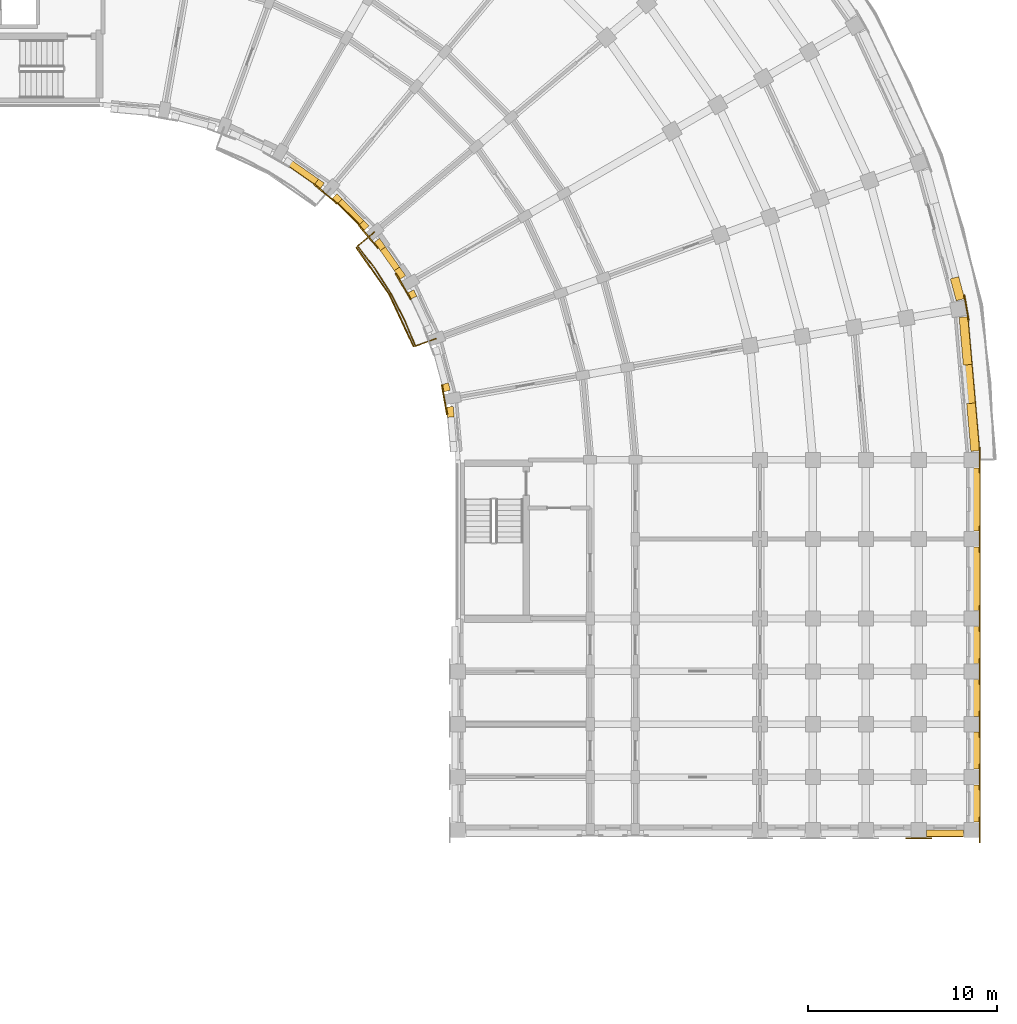
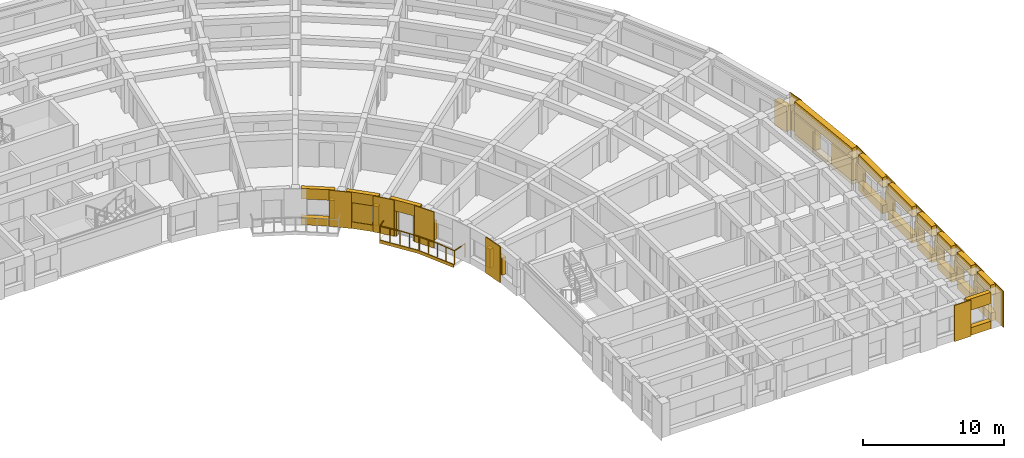
# One storey, part 51 of 54: 46 coverings, 1 railing, 1 shading device.
"""IFC4 building model written with IfcOpenShell, lengths in metres."""

import ifcopenshell
import ifcopenshell.guid

model = None  # the IFC model being written
_history = None  # IfcOwnerHistory: only IFC2X3 demands one
_inside = {}  # id of a spatial element -> (the spatial element, [elements in it])
_under = {}  # id of a project, library or spatial element -> (it, [spatial elements below it])
_declared = {}  # id of a project -> (the project, [libraries it declares])
_typed = {}  # id of a type object -> (the type object, [elements of that type])
_made_of = {}  # id of a material, layer set ... -> (it, [elements and type objects made of it])


def new_model(schema):
    """Start an empty IFC model of exactly this schema.

    Asked for "IFC4X3", IfcOpenShell would pick the latest addendum, in which some entities
    have other attributes; the version numbers below select the first issue.
    IFC2X3 requires an IfcOwnerHistory on every rooted entity: one is made here for all.
    """
    global model, _history
    if schema == "IFC4X3":
        model = ifcopenshell.file(schema_version=(4, 3, 0, 0))
    else:
        model = ifcopenshell.file(schema=schema)
    _inside.clear()
    _under.clear()
    _declared.clear()
    _typed.clear()
    _made_of.clear()
    _history = None
    if model.schema == "IFC2X3":
        org = make("IfcOrganization", Name="unknown")
        user = make(
            "IfcPersonAndOrganization",
            ThePerson=make("IfcPerson", FamilyName="unknown"),
            TheOrganization=org,
        )
        app = make(
            "IfcApplication",
            ApplicationDeveloper=org,
            Version="unknown",
            ApplicationFullName="unknown",
            ApplicationIdentifier="unknown",
        )
        _history = make(
            "IfcOwnerHistory",
            OwningUser=user,
            OwningApplication=app,
            ChangeAction="ADDED",
            CreationDate=0,
        )
    return model


def make(cls, **values):
    """One entity of the class cls with the attributes given. An attribute that is None is left unset."""
    return model.create_entity(
        cls, **{name: value for name, value in values.items() if value is not None}
    )


def rooted(cls, **values):
    """An entity with a GlobalId (a new one), such as an element, a storey or a relation."""
    return make(cls, GlobalId=ifcopenshell.guid.new(), OwnerHistory=_history, **values)


def si_unit(unit_type, name, prefix=None):
    """IfcSIUnit, for example si_unit("LENGTHUNIT", "METRE", prefix="MILLI")."""
    return make("IfcSIUnit", UnitType=unit_type, Prefix=prefix, Name=name)


def assignment(units):
    """IfcUnitAssignment: the units of a project."""
    return None if units is None else make("IfcUnitAssignment", Units=units)


def point(xyz):
    """IfcCartesianPoint."""
    return None if xyz is None else make("IfcCartesianPoint", Coordinates=xyz)


def direction(xyz):
    """IfcDirection."""
    return None if xyz is None else make("IfcDirection", DirectionRatios=xyz)


def frame(location, z_axis=None, x_axis=None):
    """IfcAxis2Placement3D, a coordinate frame: its origin and axes. An axis left out is left unset."""
    return make(
        "IfcAxis2Placement3D",
        Location=point(location),
        Axis=direction(z_axis),
        RefDirection=direction(x_axis),
    )


def frame_2d(location, x_axis=None):
    """IfcAxis2Placement2D, a coordinate frame in the plane: its origin and x axis."""
    return make(
        "IfcAxis2Placement2D", Location=point(location), RefDirection=direction(x_axis)
    )


def origin():
    """The frame at (0, 0, 0) with its axes left unset."""
    return frame((0.0, 0.0, 0.0))


def origin_2d():
    """The frame at (0, 0) in the plane with its x axis left unset."""
    return frame_2d((0.0, 0.0))


def place(relative_to, where):
    """IfcLocalPlacement: puts the frame where relative to a parent placement (None: the world)."""
    return make(
        "IfcLocalPlacement", PlacementRelTo=relative_to, RelativePlacement=where
    )


def context(
    kind, dimensions, precision=None, world=None, true_north=None, identifier=None
):
    """IfcGeometricRepresentationContext, for example the 3D "Model" context."""
    return make(
        "IfcGeometricRepresentationContext",
        ContextIdentifier=identifier,
        ContextType=kind,
        CoordinateSpaceDimension=dimensions,
        Precision=precision,
        WorldCoordinateSystem=world,
        TrueNorth=true_north,
    )


def subcontext(parent, identifier, kind, view, scale=None):
    """IfcGeometricRepresentationSubContext, for example "Body" below "Model"."""
    return make(
        "IfcGeometricRepresentationSubContext",
        ContextIdentifier=identifier,
        ContextType=kind,
        ParentContext=parent,
        TargetScale=scale,
        TargetView=view,
    )


def project(units=None, contexts=None):
    """IfcProject with its units and contexts."""
    return rooted(
        "IfcProject",
        Name="project",
        RepresentationContexts=contexts,
        UnitsInContext=assignment(units),
    )


def spatial(cls, under=None, at=None, **own):
    """A site, building, storey or space (cls), placed at a placement, below another one or the project."""
    s = rooted(cls, ObjectPlacement=at, **own)
    if under is not None:
        _under.setdefault(under.id(), (under, []))[1].append(s)
    return s


def polyline(points):
    """IfcPolyline through the points."""
    return make("IfcPolyline", Points=[point(p) for p in points])


def profile(cls, at=None, kind="AREA", **sizes):
    """A parametric profile (cls). Its sizes go by their IFC names, for example OverallWidth=200.0."""
    return make(cls, ProfileType=kind, Position=at, **sizes)


def rectangle(**sizes):
    """IfcRectangleProfileDef."""
    return profile("IfcRectangleProfileDef", **sizes)


def circle(**sizes):
    """IfcCircleProfileDef."""
    return profile("IfcCircleProfileDef", **sizes)


def outline(outer, holes=None, kind="AREA"):
    """IfcArbitraryClosedProfileDef: a profile drawn as a closed curve; with holes, ...WithVoids."""
    if holes is None:
        return make("IfcArbitraryClosedProfileDef", ProfileType=kind, OuterCurve=outer)
    return make(
        "IfcArbitraryProfileDefWithVoids",
        ProfileType=kind,
        OuterCurve=outer,
        InnerCurves=holes,
    )


def extrude(swept, where, along, depth):
    """IfcExtrudedAreaSolid: the profile swept, set in the frame where, extruded along a direction by depth."""
    return make(
        "IfcExtrudedAreaSolid",
        SweptArea=swept,
        Position=where,
        ExtrudedDirection=direction(along),
        Depth=depth,
    )


def shape(context_of_items, identifier, shape_type, items):
    """IfcShapeRepresentation: the items that make up one representation, for example the "Body"."""
    return make(
        "IfcShapeRepresentation",
        ContextOfItems=context_of_items,
        RepresentationIdentifier=identifier,
        RepresentationType=shape_type,
        Items=items,
    )


def material(Name=None, Category=None):
    """IfcMaterial."""
    return make("IfcMaterial", Name=Name, Category=Category)


def layer(
    of_material, thickness, ventilated=None, Name=None, Category=None, Priority=None
):
    """IfcMaterialLayer: one layer of a wall or slab, of a material (None: an air gap)."""
    return make(
        "IfcMaterialLayer",
        Material=of_material,
        LayerThickness=thickness,
        IsVentilated=ventilated,
        Name=Name,
        Category=Category,
        Priority=Priority,
    )


def layer_set(layers, Name=None):
    """IfcMaterialLayerSet."""
    return make("IfcMaterialLayerSet", MaterialLayers=layers, LayerSetName=Name)


def made_of(thing, what):
    """Note that an element or type object is made of a material, layer set ...; save() writes the relation."""
    if what is not None:
        _made_of.setdefault(what.id(), (what, []))[1].append(thing)
    return thing


def type_object(cls, material=None, **own):
    """A type object (cls), such as IfcWallType, which elements share."""
    return made_of(rooted(cls, **own), material)


def element(
    cls,
    number,
    at=None,
    inside=None,
    cuts=None,
    type_object=None,
    material=None,
    context=None,
    identifier="Body",
    shape_type=None,
    held_by="IfcProductDefinitionShape",
    body=None,
    shapes=None,
    **own,
):
    """One element of the class cls, such as IfcWall. Its Tag is "e" and its number.

    at: its placement. inside: the storey or other place that contains it. cuts: it is an
    opening in that element (IfcRelVoidsElement). A single representation is given by context,
    identifier, shape_type and body (its items); several are given by shapes. held_by: the class
    of the entity that holds the representations. save() writes the other relations.
    """
    e = rooted(cls, Tag="e%d" % number, ObjectPlacement=at, **own)
    if body is not None:
        shapes = [shape(context, identifier, shape_type, body)]
    if shapes is not None:
        e.Representation = make(held_by, Representations=shapes)
    if inside is not None:
        _inside.setdefault(inside.id(), (inside, []))[1].append(e)
    if cuts is not None:
        rooted(
            "IfcRelVoidsElement", RelatingBuildingElement=cuts, RelatedOpeningElement=e
        )
    if type_object is not None:
        _typed.setdefault(type_object.id(), (type_object, []))[1].append(e)
    return made_of(e, material)


def aggregate(whole, parts):
    """IfcRelAggregates: a whole, such as a stair, and the parts it consists of."""
    return rooted("IfcRelAggregates", RelatingObject=whole, RelatedObjects=parts)


def save(model, path):
    """Write the relations noted so far, then the file.

    IfcRelAggregates (storeys below a building ...), IfcRelContainedInSpatialStructure (elements
    in a storey), IfcRelDefinesByType, IfcRelAssociatesMaterial and IfcRelDeclares: one each for
    every whole, place, type object, material and project.
    """
    for whole, parts in _under.values():
        aggregate(whole, parts)
    for where, things in _inside.values():
        rooted(
            "IfcRelContainedInSpatialStructure",
            RelatedElements=things,
            RelatingStructure=where,
        )
    for kind, things in _typed.values():
        rooted("IfcRelDefinesByType", RelatedObjects=things, RelatingType=kind)
    for what, things in _made_of.values():
        rooted("IfcRelAssociatesMaterial", RelatedObjects=things, RelatingMaterial=what)
    for by, libraries in _declared.values():
        rooted("IfcRelDeclares", RelatingContext=by, RelatedDefinitions=libraries)
    model.write(path)


model = new_model("IFC4")

# Units and contexts
model_context = context("Model", 3, precision=1e-05, world=origin(), true_north=direction((0.0, 1.0)))
body_context = subcontext(model_context, "Body", "Model", "MODEL_VIEW")
ifc_project = project(units=[si_unit("LENGTHUNIT", "METRE"), si_unit("AREAUNIT", "SQUARE_METRE"), si_unit("VOLUMEUNIT", "CUBIC_METRE"), si_unit("PLANEANGLEUNIT", "RADIAN"), si_unit("MASSUNIT", "GRAM", prefix="KILO")], contexts=[model_context])

# Site, building, storey
site_placement = place(None, origin())
site = spatial("IfcSite", under=ifc_project, at=site_placement, CompositionType="ELEMENT")
building_placement = place(site_placement, origin())
building = spatial("IfcBuilding", under=site, at=building_placement, Name="Kiranvali Square Residences", CompositionType="ELEMENT")
storey_placement = place(building_placement, frame((0.0, 0.0, 11.85009765625)))
storey = spatial("IfcBuildingStorey", under=building, at=storey_placement, Name="L03", CompositionType="ELEMENT", Elevation=11.85009765625)

# Coverings
ifc_material_1 = material(Name="Carved Porbandar limestone classical entablature and cornice", Category="masonry")
ifc_layer_1 = layer(ifc_material_1, 0.06201171875)
ifc_layer_set_1 = layer_set([ifc_layer_1], Name="Carved Porbandar limestone classical entablature and cornice")
covering_type_1 = type_object("IfcCoveringType", Name="COV-CLAD-GBAL", PredefinedType="CLADDING", material=ifc_layer_set_1)
covering_1_placement = place(storey_placement, frame((0.0, 0.0, -0.22021484375)))
element("IfcCovering", 1, at=covering_1_placement, inside=storey, type_object=covering_type_1, Name="Block B L03 garden balcony limestone fascia 2", PredefinedType="CLADDING", context=body_context, shape_type="SweptSolid", body=[
    extrude(outline(polyline([(133.1904296875, 99.035888671875), (134.938232421875, 96.5400390625), (136.225830078125, 93.778564453125), (136.289794921875, 93.8017578125), (134.9970703125, 96.573974609375), (133.242431640625, 99.07958984375), (133.1904296875, 99.035888671875)])), origin(), (0.0, 0.0, 1.0), 0.27001953125),
])
ifc_material_2 = material(Name="Honed Porbandar limestone ashlar facade cladding", Category="masonry")
ifc_layer_2 = layer(ifc_material_2, 0.3798828125)
ifc_layer_set_2 = layer_set([ifc_layer_2], Name="Honed Porbandar limestone ashlar facade cladding")
covering_type_2 = type_object("IfcCoveringType", Name="COV-CLAD-JAMB", PredefinedType="CLADDING", material=ifc_layer_set_2)
covering_2_placement = place(storey_placement, origin())
element("IfcCovering", 2, at=covering_2_placement, inside=storey, type_object=covering_type_2, Name="L03 deep limestone window jamb reveal B-L03-CRV-07.R", PredefinedType="CLADDING", context=body_context, shape_type="SweptSolid", body=[
    extrude(outline(polyline([(164.67431640625, 97.382568359375), (164.985107421875, 96.22265625), (165.428955078125, 96.341552734375), (165.1181640625, 97.50146484375), (164.67431640625, 97.382568359375)])), origin(), (0.0, 0.0, 1.0), 2.179931640625),
])
covering_3_placement = place(storey_placement, frame((0.0, 0.0, 0.322021484375)))
element("IfcCovering", 3, at=covering_3_placement, inside=storey, type_object=covering_type_2, Name="L03 deep limestone window jamb reveal B-L03-CRV-08.L", PredefinedType="CLADDING", context=body_context, shape_type="SweptSolid", body=[
    extrude(outline(polyline([(165.140869140625, 95.339599609375), (165.36181640625, 92.81494140625), (165.819580078125, 92.85498046875), (165.5986328125, 95.379638671875), (165.140869140625, 95.339599609375)])), origin(), (0.0, 0.0, 1.0), 1.849853515625),
])
covering_4_placement = place(storey_placement, frame((0.0, 0.0, 0.322021484375)))
element("IfcCovering", 4, at=covering_4_placement, inside=storey, type_object=covering_type_2, Name="L03 deep limestone window jamb reveal B-L03-CRV-08.R", PredefinedType="CLADDING", context=body_context, shape_type="SweptSolid", body=[
    extrude(outline(polyline([(165.54052734375, 90.77294921875), (165.76123046875, 88.248291015625), (166.218994140625, 88.288330078125), (165.998046875, 90.81298828125), (165.54052734375, 90.77294921875)])), origin(), (0.0, 0.0, 1.0), 1.849853515625),
])
covering_5_placement = place(storey_placement, frame((0.0, 0.0, 0.621826171875)))
element("IfcCovering", 5, at=covering_5_placement, inside=storey, type_object=covering_type_2, Name="L03 deep limestone window jamb reveal B-L03-GDN-03.R", PredefinedType="CLADDING", context=body_context, shape_type="SweptSolid", body=[
    extrude(outline(polyline([(131.02294921875, 102.3896484375), (131.328857421875, 102.175537109375), (131.523681640625, 102.45361328125), (131.2177734375, 102.66796875), (131.02294921875, 102.3896484375)])), origin(), (0.0, 0.0, 1.0), 1.60009765625),
])
covering_6_placement = place(storey_placement, frame((0.0, 0.0, 0.572021484375)))
element("IfcCovering", 6, at=covering_6_placement, inside=storey, type_object=covering_type_2, Name="L03 deep limestone window jamb reveal B-L03-GDN-04.L", PredefinedType="CLADDING", context=body_context, shape_type="SweptSolid", body=[
    extrude(outline(polyline([(131.955078125, 101.650146484375), (132.23681640625, 101.368408203125), (132.47705078125, 101.6083984375), (132.195068359375, 101.89013671875), (131.955078125, 101.650146484375)])), origin(), (0.0, 0.0, 1.0), 1.64990234375),
])
covering_7_placement = place(storey_placement, frame((0.0, 0.0, 0.572021484375)))
element("IfcCovering", 7, at=covering_7_placement, inside=storey, type_object=covering_type_2, Name="L03 deep limestone window jamb reveal B-L03-GDN-04.R", PredefinedType="CLADDING", context=body_context, shape_type="SweptSolid", body=[
    extrude(outline(polyline([(133.368408203125, 100.23681640625), (133.650146484375, 99.955078125), (133.89013671875, 100.195068359375), (133.6083984375, 100.47705078125), (133.368408203125, 100.23681640625)])), origin(), (0.0, 0.0, 1.0), 1.64990234375),
])
covering_8_placement = place(storey_placement, origin())
element("IfcCovering", 8, at=covering_8_placement, inside=storey, type_object=covering_type_2, Name="L03 deep limestone window jamb reveal B-L03-GDN-05.L", PredefinedType="CLADDING", context=body_context, shape_type="SweptSolid", body=[
    extrude(outline(polyline([(134.175537109375, 99.328857421875), (134.490234375, 98.879638671875), (134.768310546875, 99.074462890625), (134.45361328125, 99.523681640625), (134.175537109375, 99.328857421875)])), origin(), (0.0, 0.0, 1.0), 2.179931640625),
])
covering_9_placement = place(storey_placement, origin())
element("IfcCovering", 9, at=covering_9_placement, inside=storey, type_object=covering_type_2, Name="L03 deep limestone window jamb reveal B-L03-GDN-05.R", PredefinedType="CLADDING", context=body_context, shape_type="SweptSolid", body=[
    extrude(outline(polyline([(135.23583984375, 97.814697265625), (135.55029296875, 97.365478515625), (135.828369140625, 97.56005859375), (135.513916015625, 98.009521484375), (135.23583984375, 97.814697265625)])), origin(), (0.0, 0.0, 1.0), 2.179931640625),
])
covering_10_placement = place(storey_placement, frame((0.0, 0.0, 0.621826171875)))
element("IfcCovering", 10, at=covering_10_placement, inside=storey, type_object=covering_type_2, Name="L03 deep limestone window jamb reveal B-L03-GDN-06.L", PredefinedType="CLADDING", context=body_context, shape_type="SweptSolid", body=[
    extrude(outline(polyline([(135.958984375, 96.657470703125), (136.116943359375, 96.319091796875), (136.424560546875, 96.46240234375), (136.266845703125, 96.801025390625), (135.958984375, 96.657470703125)])), origin(), (0.0, 0.0, 1.0), 1.60009765625),
])
covering_11_placement = place(storey_placement, frame((0.0, 0.0, 0.572021484375)))
element("IfcCovering", 11, at=covering_11_placement, inside=storey, type_object=covering_type_2, Name="L03 deep limestone window jamb reveal B-L03-GDN-07.R", PredefinedType="CLADDING", context=body_context, shape_type="SweptSolid", body=[
    extrude(outline(polyline([(137.76904296875, 91.78662109375), (137.8720703125, 91.401611328125), (138.199951171875, 91.489501953125), (138.096923828125, 91.87451171875), (137.76904296875, 91.78662109375)])), origin(), (0.0, 0.0, 1.0), 1.64990234375),
])
covering_12_placement = place(storey_placement, frame((0.0, 0.0, 0.721923828125)))
element("IfcCovering", 12, at=covering_12_placement, inside=storey, type_object=covering_type_2, Name="L03 deep limestone window jamb reveal B-L03-GDN-08.L", PredefinedType="CLADDING", context=body_context, shape_type="SweptSolid", body=[
    extrude(outline(polyline([(138.013916015625, 90.5966796875), (138.061767578125, 90.05029296875), (138.400146484375, 90.079833984375), (138.352294921875, 90.626220703125), (138.013916015625, 90.5966796875)])), origin(), (0.0, 0.0, 1.0), 1.5),
])
ifc_layer_3 = layer(ifc_material_2, 0.06494140625)
ifc_layer_set_3 = layer_set([ifc_layer_3], Name="Honed Porbandar limestone ashlar facade cladding")
covering_type_3 = type_object("IfcCoveringType", Name="COV-CLAD-PIER", PredefinedType="CLADDING", material=ifc_layer_set_3)
covering_13_placement = place(storey_placement, frame((0.0, 0.0, 0.0048828125)))
element("IfcCovering", 13, at=covering_13_placement, inside=storey, type_object=covering_type_3, Name="L03 Classical limestone corner pilaster CLAD-PR-B-L03-A08", PredefinedType="CLADDING", context=body_context, shape_type="SweptSolid", body=[
    extrude(outline(polyline([(165.68017578125, 95.199462890625), (165.444091796875, 96.538818359375), (165.37744140625, 96.527099609375), (165.61376953125, 95.187744140625), (165.68017578125, 95.199462890625)])), origin(), (0.0, 0.0, 1.0), 3.14013671875),
])
covering_14_placement = place(storey_placement, frame((0.0, 0.0, 0.0048828125)))
element("IfcCovering", 14, at=covering_14_placement, inside=storey, type_object=covering_type_3, Name="L03 Classical limestone corner pilaster CLAD-PR-B-L03-A09", PredefinedType="CLADDING", context=body_context, shape_type="SweptSolid", body=[
    extrude(outline(polyline([(166.26806640625, 87.1201171875), (166.26806640625, 88.47998046875), (166.200439453125, 88.47998046875), (166.200439453125, 87.1201171875), (166.26806640625, 87.1201171875)])), origin(), (0.0, 0.0, 1.0), 3.14013671875),
])
covering_15_placement = place(storey_placement, frame((0.0, 0.0, 0.0048828125)))
element("IfcCovering", 15, at=covering_15_placement, inside=storey, type_object=covering_type_3, Name="L03 Classical limestone pilaster casing CLAD-PR-B-L03-V42", PredefinedType="CLADDING", context=body_context, shape_type="SweptSolid", body=[
    extrude(outline(polyline([(166.200439453125, 84.280029296875), (166.200439453125, 82.919921875), (166.26806640625, 82.919921875), (166.26806640625, 84.280029296875), (166.200439453125, 84.280029296875)])), origin(), (0.0, 0.0, 1.0), 3.14013671875),
])
covering_16_placement = place(storey_placement, frame((0.0, 0.0, 0.0048828125)))
element("IfcCovering", 16, at=covering_16_placement, inside=storey, type_object=covering_type_3, Name="L03 Classical limestone pilaster casing CLAD-PR-B-L03-V84", PredefinedType="CLADDING", context=body_context, shape_type="SweptSolid", body=[
    extrude(outline(polyline([(166.200439453125, 80.080078125), (166.200439453125, 78.719970703125), (166.26806640625, 78.719970703125), (166.26806640625, 80.080078125), (166.200439453125, 80.080078125)])), origin(), (0.0, 0.0, 1.0), 3.14013671875),
])
covering_17_placement = place(storey_placement, frame((0.0, 0.0, 0.0048828125)))
element("IfcCovering", 17, at=covering_17_placement, inside=storey, type_object=covering_type_3, Name="L03 Classical limestone pilaster casing CLAD-PR-B-L03-V112", PredefinedType="CLADDING", context=body_context, shape_type="SweptSolid", body=[
    extrude(outline(polyline([(166.200439453125, 77.280029296875), (166.200439453125, 75.919921875), (166.26806640625, 75.919921875), (166.26806640625, 77.280029296875), (166.200439453125, 77.280029296875)])), origin(), (0.0, 0.0, 1.0), 3.14013671875),
])
covering_18_placement = place(storey_placement, frame((0.0, 0.0, 0.0048828125)))
element("IfcCovering", 18, at=covering_18_placement, inside=storey, type_object=covering_type_3, Name="L03 Classical limestone pilaster casing CLAD-PR-B-L03-V140", PredefinedType="CLADDING", context=body_context, shape_type="SweptSolid", body=[
    extrude(outline(polyline([(166.200439453125, 74.47998046875), (166.200439453125, 73.1201171875), (166.26806640625, 73.1201171875), (166.26806640625, 74.47998046875), (166.200439453125, 74.47998046875)])), origin(), (0.0, 0.0, 1.0), 3.14013671875),
])
covering_19_placement = place(storey_placement, frame((0.0, 0.0, 0.0048828125)))
element("IfcCovering", 19, at=covering_19_placement, inside=storey, type_object=covering_type_3, Name="L03 Classical limestone pilaster casing CLAD-PR-B-L03-V167", PredefinedType="CLADDING", context=body_context, shape_type="SweptSolid", body=[
    extrude(outline(polyline([(166.200439453125, 71.679931640625), (166.200439453125, 70.320068359375), (166.26806640625, 70.320068359375), (166.26806640625, 71.679931640625), (166.200439453125, 71.679931640625)])), origin(), (0.0, 0.0, 1.0), 3.14013671875),
])
covering_20_placement = place(storey_placement, frame((0.0, 0.0, 0.0048828125)))
element("IfcCovering", 20, at=covering_20_placement, inside=storey, type_object=covering_type_3, Name="L03 Classical limestone pilaster casing CLAD-PR-B-L03-V196", PredefinedType="CLADDING", context=body_context, shape_type="SweptSolid", body=[
    extrude(outline(polyline([(166.200439453125, 68.8798828125), (166.200439453125, 67.52001953125), (166.26806640625, 67.52001953125), (166.26806640625, 68.8798828125), (166.200439453125, 68.8798828125)])), origin(), (0.0, 0.0, 1.0), 3.14013671875),
])
ifc_layer_4 = layer(ifc_material_2, 0.050048828125)
ifc_layer_set_4 = layer_set([ifc_layer_4], Name="Honed Porbandar limestone ashlar facade cladding")
covering_type_4 = type_object("IfcCoveringType", Name="COV-CLAD-PIER-IN", PredefinedType="CLADDING", material=ifc_layer_set_4)
covering_21_placement = place(storey_placement, frame((0.0, 0.0, 0.0048828125)))
element("IfcCovering", 21, at=covering_21_placement, inside=storey, type_object=covering_type_4, Name="L03 Classical garden courtyard pilaster CLAD-PRIN-B-L03-A04", PredefinedType="CLADDING", context=body_context, shape_type="SweptSolid", body=[
    extrude(outline(polyline([(130.970703125, 102.357421875), (132.196533203125, 101.328857421875), (132.23974609375, 101.380615234375), (131.01416015625, 102.4091796875), (130.970703125, 102.357421875)])), origin(), (0.0, 0.0, 1.0), 3.14013671875),
])
covering_22_placement = place(storey_placement, frame((0.0, 0.0, 0.0048828125)))
element("IfcCovering", 22, at=covering_22_placement, inside=storey, type_object=covering_type_4, Name="L03 Classical garden courtyard pilaster CLAD-PRIN-B-L03-A05", PredefinedType="CLADDING", context=body_context, shape_type="SweptSolid", body=[
    extrude(outline(polyline([(133.328857421875, 100.196533203125), (134.357421875, 98.970703125), (134.4091796875, 99.01416015625), (133.380615234375, 100.23974609375), (133.328857421875, 100.196533203125)])), origin(), (0.0, 0.0, 1.0), 3.14013671875),
])
covering_23_placement = place(storey_placement, frame((0.0, 0.0, 0.0048828125)))
element("IfcCovering", 23, at=covering_23_placement, inside=storey, type_object=covering_type_4, Name="L03 Classical garden courtyard pilaster CLAD-PRIN-B-L03-A06", PredefinedType="CLADDING", context=body_context, shape_type="SweptSolid", body=[
    extrude(outline(polyline([(135.27587890625, 97.658935546875), (136.075927734375, 96.273193359375), (136.134521484375, 96.306884765625), (135.33447265625, 97.692626953125), (135.27587890625, 97.658935546875)])), origin(), (0.0, 0.0, 1.0), 3.14013671875),
])
covering_24_placement = place(storey_placement, frame((0.0, 0.0, 0.0048828125)))
element("IfcCovering", 24, at=covering_24_placement, inside=storey, type_object=covering_type_4, Name="L03 Classical garden courtyard pilaster CLAD-PRIN-B-L03-A08", PredefinedType="CLADDING", context=body_context, shape_type="SweptSolid", body=[
    extrude(outline(polyline([(137.714599609375, 91.771240234375), (137.992431640625, 90.195556640625), (138.058837890625, 90.207275390625), (137.781005859375, 91.782958984375), (137.714599609375, 91.771240234375)])), origin(), (0.0, 0.0, 1.0), 3.14013671875),
])
ifc_layer_5 = layer(ifc_material_2, 0.054931640625)
ifc_layer_set_5 = layer_set([ifc_layer_5], Name="Honed Porbandar limestone ashlar facade cladding")
covering_type_5 = type_object("IfcCoveringType", Name="COV-CLAD-PIER-UP", PredefinedType="CLADDING", material=ifc_layer_set_5)
covering_25_placement = place(storey_placement, frame((0.0, 0.0, 0.0048828125)))
element("IfcCovering", 25, at=covering_25_placement, inside=storey, type_object=covering_type_5, Name="L03 Classical limestone pilaster casing CLAD-PRA2E-B-L03-R432", PredefinedType="CLADDING", context=body_context, shape_type="SweptSolid", body=[
    extrude(outline(polyline([(162.320068359375, 67.73193359375), (163.679931640625, 67.73193359375), (163.679931640625, 67.799560546875), (162.320068359375, 67.799560546875), (162.320068359375, 67.73193359375)])), origin(), (0.0, 0.0, 1.0), 3.14013671875),
])
ifc_layer_6 = layer(ifc_material_2, 0.360107421875)
ifc_layer_set_6 = layer_set([ifc_layer_6], Name="Honed Porbandar limestone ashlar facade cladding")
covering_type_6 = type_object("IfcCoveringType", Name="COV-CLAD-WALL", PredefinedType="CLADDING", material=ifc_layer_set_6)
covering_26_placement = place(storey_placement, frame((0.0, 0.0, 2.171875)))
element("IfcCovering", 26, at=covering_26_placement, inside=storey, type_object=covering_type_6, Name="L03 light limestone spandrel lintel B-L03-CRV-08", PredefinedType="CLADDING", context=body_context, shape_type="SweptSolid", body=[
    extrude(outline(polyline([(165.140869140625, 95.339599609375), (165.76123046875, 88.248291015625), (166.218994140625, 88.288330078125), (165.5986328125, 95.379638671875), (165.140869140625, 95.339599609375)])), origin(), (0.0, 0.0, 1.0), 0.97314453125),
])
covering_27_placement = place(storey_placement, frame((0.0, 0.0, 0.0048828125)))
element("IfcCovering", 27, at=covering_27_placement, inside=storey, type_object=covering_type_6, Name="L03 limestone window sill apron B-L03-CRV-08", PredefinedType="CLADDING", context=body_context, shape_type="SweptSolid", body=[
    extrude(outline(polyline([(165.140869140625, 95.339599609375), (165.76123046875, 88.248291015625), (166.2490234375, 88.291015625), (165.62841796875, 95.38232421875), (165.140869140625, 95.339599609375)])), origin(), (0.0, 0.0, 1.0), 0.317138671875),
])
covering_28_placement = place(storey_placement, frame((0.0, 0.0, 2.221923828125)))
element("IfcCovering", 28, at=covering_28_placement, inside=storey, type_object=covering_type_6, Name="L03 light limestone spandrel lintel B-L03-GDN-03", PredefinedType="CLADDING", context=body_context, shape_type="SweptSolid", body=[
    extrude(outline(polyline([(129.365478515625, 103.55029296875), (131.328857421875, 102.175537109375), (131.523681640625, 102.45361328125), (129.56005859375, 103.828369140625), (129.365478515625, 103.55029296875)])), origin(), (0.0, 0.0, 1.0), 0.923095703125),
])
covering_29_placement = place(storey_placement, frame((0.0, 0.0, 2.221923828125)))
element("IfcCovering", 29, at=covering_29_placement, inside=storey, type_object=covering_type_6, Name="L03 light limestone spandrel lintel B-L03-GDN-04", PredefinedType="CLADDING", context=body_context, shape_type="SweptSolid", body=[
    extrude(outline(polyline([(131.955078125, 101.650146484375), (133.650146484375, 99.955078125), (133.89013671875, 100.195068359375), (132.195068359375, 101.89013671875), (131.955078125, 101.650146484375)])), origin(), (0.0, 0.0, 1.0), 0.923095703125),
])
covering_30_placement = place(storey_placement, frame((0.0, 0.0, 2.179931640625)))
element("IfcCovering", 30, at=covering_30_placement, inside=storey, type_object=covering_type_6, Name="L03 light limestone spandrel lintel B-L03-GDN-05", PredefinedType="CLADDING", context=body_context, shape_type="SweptSolid", body=[
    extrude(outline(polyline([(134.175537109375, 99.328857421875), (135.55029296875, 97.365478515625), (135.828369140625, 97.56005859375), (134.45361328125, 99.523681640625), (134.175537109375, 99.328857421875)])), origin(), (0.0, 0.0, 1.0), 0.965087890625),
])
covering_31_placement = place(storey_placement, frame((0.0, 0.0, 2.27197265625)))
element("IfcCovering", 31, at=covering_31_placement, inside=storey, type_object=covering_type_6, Name="L03 light limestone spandrel lintel B-L03-A2O-0", PredefinedType="CLADDING", context=body_context, shape_type="SweptSolid", body=[
    extrude(outline(polyline([(165.800537109375, 87.3798828125), (165.800537109375, 84.02001953125), (166.25, 84.02001953125), (166.25, 87.3798828125), (165.800537109375, 87.3798828125)])), origin(), (0.0, 0.0, 1.0), 0.873046875),
])
covering_32_placement = place(storey_placement, frame((0.0, 0.0, 0.0048828125)))
element("IfcCovering", 32, at=covering_32_placement, inside=storey, type_object=covering_type_6, Name="L03 limestone window sill apron B-L03-A2O-0", PredefinedType="CLADDING", context=body_context, shape_type="SweptSolid", body=[
    extrude(outline(polyline([(165.800537109375, 87.3798828125), (165.800537109375, 84.02001953125), (166.280029296875, 84.02001953125), (166.280029296875, 87.3798828125), (165.800537109375, 87.3798828125)])), origin(), (0.0, 0.0, 1.0), 0.717041015625),
])
covering_33_placement = place(storey_placement, frame((0.0, 0.0, 2.27197265625)))
element("IfcCovering", 33, at=covering_33_placement, inside=storey, type_object=covering_type_6, Name="L03 light limestone spandrel lintel B-L03-A2O-1", PredefinedType="CLADDING", context=body_context, shape_type="SweptSolid", body=[
    extrude(outline(polyline([(165.800537109375, 83.179931640625), (165.800537109375, 79.820068359375), (166.25, 79.820068359375), (166.25, 83.179931640625), (165.800537109375, 83.179931640625)])), origin(), (0.0, 0.0, 1.0), 0.873046875),
])
covering_34_placement = place(storey_placement, frame((0.0, 0.0, 0.0048828125)))
element("IfcCovering", 34, at=covering_34_placement, inside=storey, type_object=covering_type_6, Name="L03 limestone window sill apron B-L03-A2O-1", PredefinedType="CLADDING", context=body_context, shape_type="SweptSolid", body=[
    extrude(outline(polyline([(165.800537109375, 83.179931640625), (165.800537109375, 79.820068359375), (166.280029296875, 79.820068359375), (166.280029296875, 83.179931640625), (165.800537109375, 83.179931640625)])), origin(), (0.0, 0.0, 1.0), 0.717041015625),
])
covering_35_placement = place(storey_placement, frame((0.0, 0.0, 2.27197265625)))
element("IfcCovering", 35, at=covering_35_placement, inside=storey, type_object=covering_type_6, Name="L03 light limestone spandrel lintel B-L03-A2O-2", PredefinedType="CLADDING", context=body_context, shape_type="SweptSolid", body=[
    extrude(outline(polyline([(165.800537109375, 78.97998046875), (165.800537109375, 77.02001953125), (166.25, 77.02001953125), (166.25, 78.97998046875), (165.800537109375, 78.97998046875)])), origin(), (0.0, 0.0, 1.0), 0.873046875),
])
covering_36_placement = place(storey_placement, frame((0.0, 0.0, 0.0048828125)))
element("IfcCovering", 36, at=covering_36_placement, inside=storey, type_object=covering_type_6, Name="L03 limestone window sill apron B-L03-A2O-2", PredefinedType="CLADDING", context=body_context, shape_type="SweptSolid", body=[
    extrude(outline(polyline([(165.800537109375, 78.97998046875), (165.800537109375, 77.02001953125), (166.280029296875, 77.02001953125), (166.280029296875, 78.97998046875), (165.800537109375, 78.97998046875)])), origin(), (0.0, 0.0, 1.0), 0.717041015625),
])
covering_37_placement = place(storey_placement, frame((0.0, 0.0, 2.27197265625)))
element("IfcCovering", 37, at=covering_37_placement, inside=storey, type_object=covering_type_6, Name="L03 light limestone spandrel lintel B-L03-A2O-3", PredefinedType="CLADDING", context=body_context, shape_type="SweptSolid", body=[
    extrude(outline(polyline([(165.800537109375, 76.179931640625), (165.800537109375, 74.219970703125), (166.25, 74.219970703125), (166.25, 76.179931640625), (165.800537109375, 76.179931640625)])), origin(), (0.0, 0.0, 1.0), 0.873046875),
])
covering_38_placement = place(storey_placement, frame((0.0, 0.0, 0.0048828125)))
element("IfcCovering", 38, at=covering_38_placement, inside=storey, type_object=covering_type_6, Name="L03 limestone window sill apron B-L03-A2O-3", PredefinedType="CLADDING", context=body_context, shape_type="SweptSolid", body=[
    extrude(outline(polyline([(165.800537109375, 76.179931640625), (165.800537109375, 74.219970703125), (166.280029296875, 74.219970703125), (166.280029296875, 76.179931640625), (165.800537109375, 76.179931640625)])), origin(), (0.0, 0.0, 1.0), 0.717041015625),
])
covering_39_placement = place(storey_placement, frame((0.0, 0.0, 2.27197265625)))
element("IfcCovering", 39, at=covering_39_placement, inside=storey, type_object=covering_type_6, Name="L03 light limestone spandrel lintel B-L03-A2O-4", PredefinedType="CLADDING", context=body_context, shape_type="SweptSolid", body=[
    extrude(outline(polyline([(165.800537109375, 73.3798828125), (165.800537109375, 71.419921875), (166.25, 71.419921875), (166.25, 73.3798828125), (165.800537109375, 73.3798828125)])), origin(), (0.0, 0.0, 1.0), 0.873046875),
])
covering_40_placement = place(storey_placement, frame((0.0, 0.0, 0.0048828125)))
element("IfcCovering", 40, at=covering_40_placement, inside=storey, type_object=covering_type_6, Name="L03 limestone window sill apron B-L03-A2O-4", PredefinedType="CLADDING", context=body_context, shape_type="SweptSolid", body=[
    extrude(outline(polyline([(165.800537109375, 73.3798828125), (165.800537109375, 71.419921875), (166.280029296875, 71.419921875), (166.280029296875, 73.3798828125), (165.800537109375, 73.3798828125)])), origin(), (0.0, 0.0, 1.0), 0.717041015625),
])
covering_41_placement = place(storey_placement, frame((0.0, 0.0, 2.27197265625)))
element("IfcCovering", 41, at=covering_41_placement, inside=storey, type_object=covering_type_6, Name="L03 light limestone spandrel lintel B-L03-A2O-5", PredefinedType="CLADDING", context=body_context, shape_type="SweptSolid", body=[
    extrude(outline(polyline([(165.800537109375, 70.580078125), (165.800537109375, 68.6201171875), (166.25, 68.6201171875), (166.25, 70.580078125), (165.800537109375, 70.580078125)])), origin(), (0.0, 0.0, 1.0), 0.873046875),
])
covering_42_placement = place(storey_placement, frame((0.0, 0.0, 0.0048828125)))
element("IfcCovering", 42, at=covering_42_placement, inside=storey, type_object=covering_type_6, Name="L03 limestone window sill apron B-L03-A2O-5", PredefinedType="CLADDING", context=body_context, shape_type="SweptSolid", body=[
    extrude(outline(polyline([(165.800537109375, 70.580078125), (165.800537109375, 68.6201171875), (166.280029296875, 68.6201171875), (166.280029296875, 70.580078125), (165.800537109375, 70.580078125)])), origin(), (0.0, 0.0, 1.0), 0.717041015625),
])
covering_43_placement = place(storey_placement, frame((0.0, 0.0, 2.171875)))
element("IfcCovering", 43, at=covering_43_placement, inside=storey, type_object=covering_type_6, Name="L03 light limestone spandrel lintel B-L03-A2END-6", PredefinedType="CLADDING", context=body_context, shape_type="SweptSolid", body=[
    extrude(outline(polyline([(163.419921875, 67.860107421875), (165.3798828125, 67.860107421875), (165.3798828125, 68.199462890625), (163.419921875, 68.199462890625), (163.419921875, 67.860107421875)])), origin(), (0.0, 0.0, 1.0), 0.97314453125),
])
covering_44_placement = place(storey_placement, frame((0.0, 0.0, 0.0048828125)))
element("IfcCovering", 44, at=covering_44_placement, inside=storey, type_object=covering_type_6, Name="L03 limestone window sill apron B-L03-A2END-6", PredefinedType="CLADDING", context=body_context, shape_type="SweptSolid", body=[
    extrude(outline(polyline([(163.419921875, 67.830078125), (165.3798828125, 67.830078125), (165.3798828125, 68.199462890625), (163.419921875, 68.199462890625), (163.419921875, 67.830078125)])), origin(), (0.0, 0.0, 1.0), 0.6669921875),
])
ifc_layer_7 = layer(ifc_material_2, 0.2900390625)
ifc_layer_set_7 = layer_set([ifc_layer_7], Name="Honed Porbandar limestone ashlar facade cladding")
covering_type_7 = type_object("IfcCoveringType", Name="COV-CLAD-WALL-IN", PredefinedType="CLADDING", material=ifc_layer_set_7)
covering_45_placement = place(storey_placement, frame((0.0, 0.0, 0.0048828125)))
element("IfcCovering", 45, at=covering_45_placement, inside=storey, type_object=covering_type_7, Name="L03 limestone window sill apron B-L03-GDN-03", PredefinedType="CLADDING", context=body_context, shape_type="SweptSolid", body=[
    extrude(outline(polyline([(129.34814453125, 103.52587890625), (131.311767578125, 102.15087890625), (131.523681640625, 102.45361328125), (129.56005859375, 103.828369140625), (129.34814453125, 103.52587890625)])), origin(), (0.0, 0.0, 1.0), 0.616943359375),
])
covering_46_placement = place(storey_placement, frame((0.0, 0.0, 0.0048828125)))
element("IfcCovering", 46, at=covering_46_placement, inside=storey, type_object=covering_type_7, Name="L03 limestone window sill apron B-L03-GDN-04", PredefinedType="CLADDING", context=body_context, shape_type="SweptSolid", body=[
    extrude(outline(polyline([(131.933837890625, 101.62890625), (133.62890625, 99.933837890625), (133.89013671875, 100.195068359375), (132.195068359375, 101.89013671875), (131.933837890625, 101.62890625)])), origin(), (0.0, 0.0, 1.0), 0.567138671875),
])

# Railing
ifc_material_3 = material(Name="Powder-coated architectural bronze balustrade", Category="steel")
railing_type = type_object("IfcRailingType", Name="RL-BAL-GOLD-1200", PredefinedType="BALUSTRADE", material=ifc_material_3)
railing_placement = place(storey_placement, frame((134.1708984375, 99.858642578125, 0.0)))
element("IfcRailing", 47, at=railing_placement, inside=storey, type_object=railing_type, Name="Block B L03 garden balcony gold balustrade 2", PredefinedType="BALUSTRADE", context=body_context, shape_type="SweptSolid", body=[
    extrude(circle(Radius=0.02392578125, at=origin_2d()), frame((0.0, 0.0, 1.17578125), z_axis=(-0.765989188314, -0.642853454051, 0.0), x_axis=(0.642853454051, -0.765989188314, 0.0)), (0.0, 0.0, 1.0), 1.14990234375),
    extrude(circle(Radius=0.02392578125, at=origin_2d()), frame((-0.880859375, -0.7392578125, 1.17578125), z_axis=(0.608811807471, -0.793314680996, 0.0), x_axis=(0.793314680996, 0.608811807471, 0.0)), (0.0, 0.0, 1.0), 1.536376953125),
    extrude(circle(Radius=0.02392578125, at=origin_2d()), frame((0.054443359375, -1.9580078125, 1.17578125), z_axis=(0.537307309343, -0.843386539688, 0.0), x_axis=(0.843386539688, 0.537307309343, 0.0)), (0.0, 0.0, 1.0), 1.5361328125),
    extrude(circle(Radius=0.02392578125, at=origin_2d()), frame((0.8798828125, -3.253662109375, 1.17578125), z_axis=(0.461713009976, -0.887029366154, 0.0), x_axis=(0.887029366154, 0.461713009976, 0.0)), (0.0, 0.0, 1.0), 1.5361328125),
    extrude(circle(Radius=0.02392578125, at=origin_2d()), frame((1.589111328125, -4.6162109375, 1.17578125), z_axis=(0.382651197843, -0.923892883829, 0.0), x_axis=(0.923892883829, 0.382651197843, 0.0)), (0.0, 0.0, 1.0), 1.536376953125),
    extrude(circle(Radius=0.02392578125, at=origin_2d()), frame((2.177001953125, -6.03564453125, 1.17578125), z_axis=(0.939712828289, 0.341964618562, 0.0), x_axis=(-0.341964618562, 0.939712828289, 0.0)), (0.0, 0.0, 1.0), 1.150146484375),
    extrude(circle(Radius=0.02099609375, at=origin_2d()), origin(), (0.0, 0.0, 1.0), 1.15185546875),
    extrude(circle(Radius=0.02099609375, at=origin_2d()), frame((-0.880859375, -0.7392578125, 0.0)), (0.0, 0.0, 1.0), 1.15185546875),
    extrude(circle(Radius=0.02099609375, at=origin_2d()), frame((-0.4130859375, -1.3486328125, 0.0)), (0.0, 0.0, 1.0), 1.15185546875),
    extrude(circle(Radius=0.02099609375, at=origin_2d()), frame((0.054443359375, -1.9580078125, 0.0)), (0.0, 0.0, 1.0), 1.15185546875),
    extrude(circle(Radius=0.02099609375, at=origin_2d()), frame((0.46728515625, -2.60595703125, 0.0)), (0.0, 0.0, 1.0), 1.15185546875),
    extrude(circle(Radius=0.02099609375, at=origin_2d()), frame((0.8798828125, -3.253662109375, 0.0)), (0.0, 0.0, 1.0), 1.15185546875),
    extrude(circle(Radius=0.02099609375, at=origin_2d()), frame((1.234375, -3.93505859375, 0.0)), (0.0, 0.0, 1.0), 1.15185546875),
    extrude(circle(Radius=0.02099609375, at=origin_2d()), frame((1.589111328125, -4.6162109375, 0.0)), (0.0, 0.0, 1.0), 1.15185546875),
    extrude(circle(Radius=0.02099609375, at=origin_2d()), frame((1.883056640625, -5.325927734375, 0.0)), (0.0, 0.0, 1.0), 1.15185546875),
    extrude(circle(Radius=0.02099609375, at=origin_2d()), frame((2.177001953125, -6.03564453125, 0.0)), (0.0, 0.0, 1.0), 1.15185546875),
    extrude(circle(Radius=0.02099609375, at=origin_2d()), frame((3.2578125, -5.642333984375, 0.0)), (0.0, 0.0, 1.0), 1.15185546875),
])

# Shading device
ifc_material_4 = material(Name="Pierced buff sandstone architectural mashrabiya solar screen", Category="masonry")
shading_device_type = type_object("IfcShadingDeviceType", Name="SHD-JALI-1600", PredefinedType="JALOUSIE", material=ifc_material_4)
shading_device_placement = place(storey_placement, frame((132.816650390625, 100.816650390625, 0.572021484375), z_axis=(0.0, 0.0, 1.0), x_axis=(0.707106781187, -0.707106781187, 0.0)))
element("IfcShadingDevice", 48, at=shading_device_placement, inside=storey, type_object=shading_device_type, Name="L03 carved stone Mashrabiya screen B-L03-GDN-04", PredefinedType="JALOUSIE", context=body_context, shape_type="SweptSolid", body=[
    extrude(rectangle(XDim=1.5, YDim=0.044921875, at=origin_2d()), origin(), (0.0, 0.0, 1.0), 1.64990234375),
])

save(model, "model.ifc")
